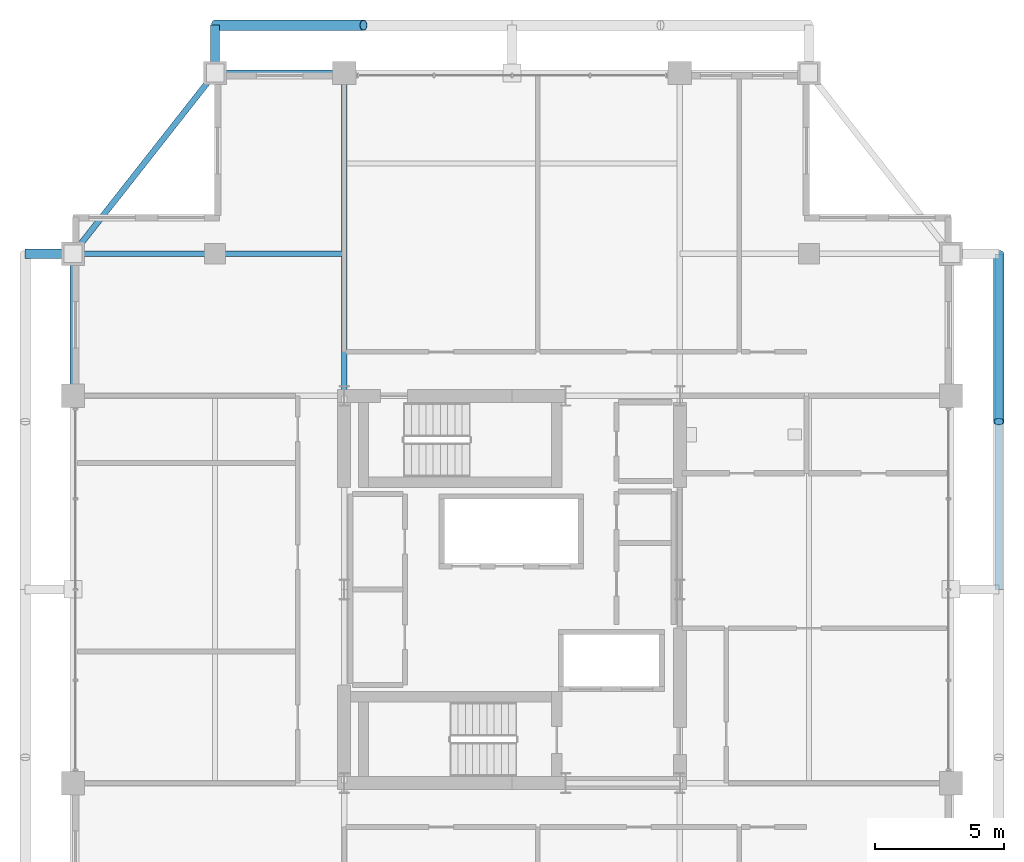
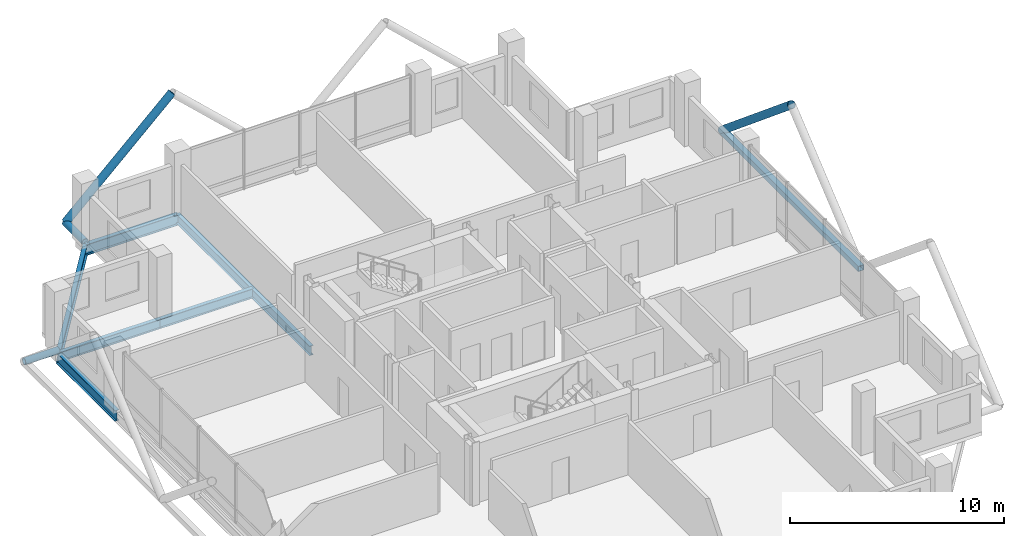
# One storey, part 14 of 24: 6 beams, 5 members.
"""IFC4 building model written with IfcOpenShell, lengths in metres."""

from ifc_helpers import new_model, si_unit, direction, frame, origin, origin_2d, place, context, subcontext, project, spatial, hollow_rectangle, hollow_circle, i_section, extrude, material, material_profile, profile_set, type_object, element, save


model = new_model("IFC4")

# Units and contexts
model_context = context("Model", 3, precision=1e-05, world=origin(), true_north=direction((0.0, 1.0)))
body_context = subcontext(model_context, "Body", "Model", "MODEL_VIEW")
ifc_project = project(units=[si_unit("LENGTHUNIT", "METRE"), si_unit("AREAUNIT", "SQUARE_METRE"), si_unit("VOLUMEUNIT", "CUBIC_METRE"), si_unit("PLANEANGLEUNIT", "RADIAN"), si_unit("MASSUNIT", "GRAM", prefix="KILO")], contexts=[model_context])

# Site, building, storey
site_placement = place(None, origin())
site = spatial("IfcSite", under=ifc_project, at=site_placement, CompositionType="ELEMENT")
building_placement = place(site_placement, origin())
building = spatial("IfcBuilding", under=site, at=building_placement, Name="Barlavira Tower and Art Museum", CompositionType="ELEMENT")
storey_placement = place(building_placement, frame((0.0, 0.0, 272.699951171875)))
storey = spatial("IfcBuildingStorey", under=building, at=storey_placement, Name="L71", CompositionType="ELEMENT", Elevation=272.699951171875)

# Members
ifc_material = material(Name="Steel S355", Category="steel")
ifc_material_profile_1 = material_profile(ifc_material, hollow_circle(Radius=0.203125, WallThickness=0.01611328125, at=origin_2d()), Name="CHS 406.4x16.0")
ifc_profile_set_1 = profile_set([ifc_material_profile_1], Name="Steel S355")
member_type_1 = type_object("IfcMemberType", Name="Pale-Metal Exoskeleton Diagrid Tube CHS 406x16 Steel S355", PredefinedType="BRACE", material=ifc_profile_set_1)
member_1_placement = place(storey_placement, frame((-11.5, 21.85009765625, -0.119873046875), z_axis=(0.728950095515, 0.0, 0.684566839869), x_axis=(0.0, 1.0, 0.0)))
element("IfcMember", 1, at=member_1_placement, inside=storey, type_object=member_type_1, Name="L71 Exoskeleton Diagrid Tube N", PredefinedType="BRACE", context=body_context, shape_type="SweptSolid", body=[
    extrude(hollow_circle(Radius=0.203125, WallThickness=0.01611328125, at=origin_2d()), origin(), (0.0, 0.0, 1.0), 7.887939453125),
])
member_2_placement = place(storey_placement, frame((18.85009765625, 13.0, -0.119873046875), z_axis=(0.0, -0.769196053329, 0.639012857104), x_axis=(1.0, 0.0, 0.0)))
element("IfcMember", 2, at=member_2_placement, inside=storey, type_object=member_type_1, Name="L71 Exoskeleton Diagrid Tube E", PredefinedType="BRACE", context=body_context, shape_type="SweptSolid", body=[
    extrude(hollow_circle(Radius=0.203125, WallThickness=0.01611328125, at=origin_2d()), origin(), (0.0, 0.0, 1.0), 8.450439453125),
])
ifc_material_profile_2 = material_profile(ifc_material, hollow_circle(Radius=0.177734375, WallThickness=0.01611328125, at=origin_2d()), Name="CHS 355.6x16.0")
ifc_profile_set_2 = profile_set([ifc_material_profile_2], Name="Steel S355")
member_type_2 = type_object("IfcMemberType", Name="Pale-Metal Exoskeleton Tie Strut CHS 356x16 Steel S355", PredefinedType="STRUT", material=ifc_profile_set_2)
for number, where, z_axis, x_axis, name in (
    (3, (-11.5, 21.85009765625, -0.119873046875), (0.0, -1.0, 0.0), (1.0, 0.0, 0.0), "L71 Exoskeleton Tie Strut N1"),
    (4, (-18.85009765625, 13.0, -0.119873046875), (1.0, 0.0, 0.0), (0.0, 1.0, 0.0), "L71 Exoskeleton Tie Strut W3"),
):
    element("IfcMember", number, at=place(storey_placement, frame(where, z_axis=z_axis, x_axis=x_axis)), inside=storey, type_object=member_type_2, Name=name, PredefinedType="STRUT", context=body_context, shape_type="SweptSolid", body=[
        extrude(hollow_circle(Radius=0.177734375, WallThickness=0.01611328125, at=origin_2d()), origin(), (0.0, 0.0, 1.0), 1.85009765625),
    ])
ifc_material_profile_3 = material_profile(ifc_material, hollow_rectangle(XDim=0.300048828125, YDim=0.300048828125, WallThickness=0.01611328125, at=origin_2d()), Name="SHS 300x300x16.0")
ifc_profile_set_3 = profile_set([ifc_material_profile_3], Name="Steel S355")
member_type_3 = type_object("IfcMemberType", Name="Pale-Metal Upper Ring Strut SHS 300x300x16 Steel S355", PredefinedType="STRUT", material=ifc_profile_set_3)
member_3_placement = place(storey_placement, frame((18.85009765625, 0.0, -0.119873046875), z_axis=(0.0, 1.0, 0.0), x_axis=(-1.0, 0.0, 0.0)))
element("IfcMember", 5, at=member_3_placement, inside=storey, type_object=member_type_3, Name="L71 Exoskeleton Ring Strut E", PredefinedType="STRUT", context=body_context, shape_type="SweptSolid", body=[
    extrude(hollow_rectangle(XDim=0.300048828125, YDim=0.300048828125, WallThickness=0.01611328125, at=origin_2d()), origin(), (0.0, 0.0, 1.0), 13.0),
])

# Beams
ifc_material_profile_4 = material_profile(ifc_material, i_section(OverallWidth=0.22998046875, OverallDepth=0.616943359375, WebThickness=0.01318359375, FlangeThickness=0.022216796875, at=origin_2d()), Name="W610x140.0")
ifc_profile_set_4 = profile_set([ifc_material_profile_4], Name="Steel S355")
beam_type_1 = type_object("IfcBeamType", Name="Upper Shaft Spandrel Edge Beam W610x140 Steel S355", PredefinedType="SPANDREL", material=ifc_profile_set_4)
beam_1_placement = place(storey_placement, frame((-11.5, 20.0, -0.528564453125), z_axis=(1.0, 0.0, 0.0), x_axis=(0.0, 1.0, 0.0)))
element("IfcBeam", 6, at=beam_1_placement, inside=storey, type_object=beam_type_1, Name="L71 Spandrel 11", PredefinedType="SPANDREL", context=body_context, shape_type="SweptSolid", body=[
    extrude(i_section(OverallWidth=0.22998046875, OverallDepth=0.616943359375, WebThickness=0.01318359375, FlangeThickness=0.022216796875, at=origin_2d()), origin(), (0.0, 0.0, 1.0), 5.0),
])
beam_2_placement = place(storey_placement, frame((-11.5, 20.0, -0.528564453125), z_axis=(-0.617821551932, -0.786318338822, 0.0), x_axis=(0.786318338822, -0.617821551932, 0.0)))
element("IfcBeam", 7, at=beam_2_placement, inside=storey, type_object=beam_type_1, Name="L71 Spandrel 12", PredefinedType="SPANDREL", context=body_context, shape_type="SweptSolid", body=[
    extrude(i_section(OverallWidth=0.22998046875, OverallDepth=0.616943359375, WebThickness=0.01318359375, FlangeThickness=0.022216796875, at=origin_2d()), origin(), (0.0, 0.0, 1.0), 8.90234375),
])
beam_3_placement = place(storey_placement, frame((-17.0, 7.5, -0.528564453125), z_axis=(0.0, 1.0, 0.0), x_axis=(-1.0, 0.0, 0.0)))
element("IfcBeam", 8, at=beam_3_placement, inside=storey, type_object=beam_type_1, Name="L71 Spandrel 13", PredefinedType="SPANDREL", context=body_context, shape_type="SweptSolid", body=[
    extrude(i_section(OverallWidth=0.22998046875, OverallDepth=0.616943359375, WebThickness=0.01318359375, FlangeThickness=0.022216796875, at=origin_2d()), origin(), (0.0, 0.0, 1.0), 5.5),
])
ifc_material_profile_5 = material_profile(ifc_material, i_section(OverallWidth=0.2109375, OverallDepth=0.5390625, WebThickness=0.01171875, FlangeThickness=0.018798828125, at=origin_2d()), Name="W530x109.0")
ifc_profile_set_5 = profile_set([ifc_material_profile_5], Name="Steel S355")
beam_type_2 = type_object("IfcBeamType", Name="Zone 3-4 Primary Floor Girder W530x109 Steel S355", PredefinedType="BEAM", material=ifc_profile_set_5)
beam_4_placement = place(storey_placement, frame((-6.5, 7.5, -0.489501953125), z_axis=(0.0, 1.0, 0.0), x_axis=(-1.0, 0.0, 0.0)))
element("IfcBeam", 9, at=beam_4_placement, inside=storey, type_object=beam_type_2, Name="L71 Girder R-N1", PredefinedType="BEAM", context=body_context, shape_type="SweptSolid", body=[
    extrude(i_section(OverallWidth=0.2109375, OverallDepth=0.5390625, WebThickness=0.01171875, FlangeThickness=0.018798828125, at=origin_2d()), origin(), (0.0, 0.0, 1.0), 12.5),
])
beam_5_placement = place(storey_placement, frame((-17.0, 13.0, -0.489501953125), z_axis=(1.0, 0.0, 0.0), x_axis=(0.0, 1.0, 0.0)))
element("IfcBeam", 10, at=beam_5_placement, inside=storey, type_object=beam_type_2, Name="L71 Girder I-N1", PredefinedType="BEAM", context=body_context, shape_type="SweptSolid", body=[
    extrude(i_section(OverallWidth=0.2109375, OverallDepth=0.5390625, WebThickness=0.01171875, FlangeThickness=0.018798828125, at=origin_2d()), origin(), (0.0, 0.0, 1.0), 5.5),
])
beam_6_placement = place(storey_placement, frame((-11.5, 13.0, -0.489501953125), z_axis=(1.0, 0.0, 0.0), x_axis=(0.0, 1.0, 0.0)))
element("IfcBeam", 11, at=beam_6_placement, inside=storey, type_object=beam_type_2, Name="L71 Girder I-N2", PredefinedType="BEAM", context=body_context, shape_type="SweptSolid", body=[
    extrude(i_section(OverallWidth=0.2109375, OverallDepth=0.5390625, WebThickness=0.01171875, FlangeThickness=0.018798828125, at=origin_2d()), origin(), (0.0, 0.0, 1.0), 5.0),
])

save(model, "model.ifc")
